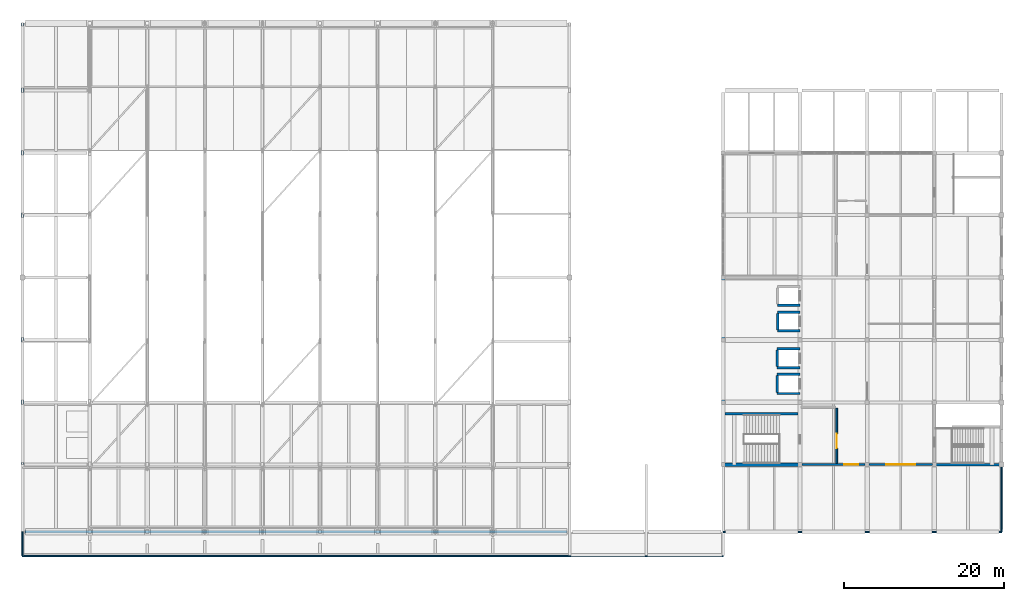
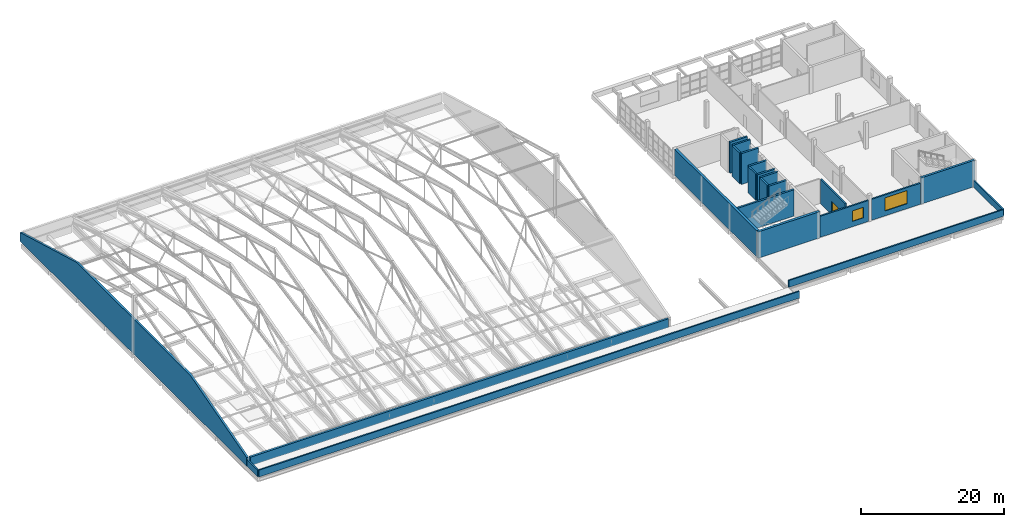
# One storey, part 49 of 53: 23 walls, 2 windows, 1 door, 3 openings.
"""IFC4 building model written with IfcOpenShell, lengths in metres."""

from ifc_helpers import new_model, si_unit, direction, frame, frame_2d, origin, place, context, subcontext, project, spatial, polyline, rectangle, outline, extrude, material, layer, layer_set, type_object, element, fill, save


model = new_model("IFC4")

# Units and contexts
model_context = context("Model", 3, precision=1e-05, world=origin(), true_north=direction((0.0, 1.0)))
body_context = subcontext(model_context, "Body", "Model", "MODEL_VIEW")
ifc_project = project(units=[si_unit("LENGTHUNIT", "METRE"), si_unit("AREAUNIT", "SQUARE_METRE"), si_unit("VOLUMEUNIT", "CUBIC_METRE"), si_unit("PLANEANGLEUNIT", "RADIAN"), si_unit("MASSUNIT", "GRAM", prefix="KILO")], contexts=[model_context])

# Site, building, storey
site_placement = place(None, origin())
site = spatial("IfcSite", under=ifc_project, at=site_placement, CompositionType="ELEMENT")
building_placement = place(site_placement, origin())
building = spatial("IfcBuilding", under=site, at=building_placement, Name="Pellamere Symphony Hall", CompositionType="ELEMENT")
storey_placement = place(building_placement, frame((0.0, 0.0, 24.0)))
storey = spatial("IfcBuildingStorey", under=building, at=storey_placement, Name="L05", CompositionType="ELEMENT", Elevation=24.0)

# Wall, opening, window
ifc_material_1 = material(Name="Insulated Zinc Rainscreen Backing Wall Assembly", Category="aluminium")
ifc_layer_1 = layer(ifc_material_1, 0.25, Name="Insulated Zinc Rainscreen Backing Wall Assembly")
ifc_layer_set_1 = layer_set([ifc_layer_1], Name="Insulated Zinc Rainscreen Backing Wall Assembly")
wall_type_1 = type_object("IfcWallType", Name="Exterior Wall EW-04 250mm", PredefinedType="SOLIDWALL", material=ifc_layer_set_1)
wall_1_placement = place(storey_placement, frame((147.85009765625, 38.39990234375, 0.0), z_axis=(0.0, 0.0, 1.0), x_axis=(1.0, 0.0, 0.0)))
wall_1 = element("IfcWall", 1, at=wall_1_placement, inside=storey, type_object=wall_type_1, Name="Exterior Wall EW-04-133 (L05)", PredefinedType="SOLIDWALL", context=body_context, shape_type="SweptSolid", body=[
    extrude(rectangle(XDim=7.89990234375, YDim=0.25, at=frame_2d((3.949951171875, 0.0))), origin(), (0.0, 0.0, 1.0), 3.60009765625),
])
opening_1_placement = place(wall_1_placement, frame((5.261962890625, 0.0, 0.89990234375)))
opening_1 = element("IfcOpeningElement", 2, at=opening_1_placement, cuts=wall_1, Name="Opening W092", PredefinedType="OPENING", context=body_context, shape_type="SweptSolid", body=[
    extrude(rectangle(XDim=1.800048828125, YDim=1.800048828125, at=frame_2d((0.89990234375, 0.89990234375))), frame((0.0, 0.135009765625, 0.0), z_axis=(0.0, -1.0, 0.0), x_axis=(1.0, 0.0, 0.0)), (0.0, 0.0, 1.0), 0.27001953125),
])
ifc_material_2 = material(Name="Thermally Broken Aluminium Triple-Glazed Acoustic Window", Category="aluminium")
window_type_1 = type_object("IfcWindowType", Name="Window WN-03 1800x1800", PartitioningType="DOUBLE_PANEL_VERTICAL", PredefinedType="WINDOW", material=ifc_material_2)
window_1_placement = place(opening_1_placement, origin())
window_1 = element("IfcWindow", 3, at=window_1_placement, inside=storey, type_object=window_type_1, Name="Exterior Window W092 (L05)", OverallHeight=1.800048828125, OverallWidth=1.800048828125, PartitioningType="SINGLE_PANEL", PredefinedType="WINDOW", context=body_context, shape_type="SweptSolid", body=[
    extrude(rectangle(XDim=1.800048828125, YDim=1.800048828125, at=frame_2d((0.89990234375, 0.89990234375))), frame((0.0, 0.030029296875, 0.0), z_axis=(0.0, -1.0, 0.0), x_axis=(1.0, 0.0, 0.0)), (0.0, 0.0, 1.0), 0.06005859375),
])
fill(opening_1, window_1)

wall_2_placement = place(storey_placement, frame((156.25, 38.39990234375, 0.0), z_axis=(0.0, 0.0, 1.0), x_axis=(1.0, 0.0, 0.0)))
wall_2 = element("IfcWall", 4, at=wall_2_placement, inside=storey, type_object=wall_type_1, Name="Exterior Wall EW-04-134 (L05)", PredefinedType="SOLIDWALL", context=body_context, shape_type="SweptSolid", body=[
    extrude(rectangle(XDim=7.89990234375, YDim=0.25, at=frame_2d((3.949951171875, 0.0))), origin(), (0.0, 0.0, 1.0), 3.60009765625),
])
opening_2_placement = place(wall_2_placement, frame((2.14990234375, 0.0, 0.85009765625)))
opening_2 = element("IfcOpeningElement", 5, at=opening_2_placement, cuts=wall_2, Name="Opening W093", PredefinedType="OPENING", context=body_context, shape_type="SweptSolid", body=[
    extrude(rectangle(XDim=3.60009765625, YDim=2.25, at=frame_2d((1.800048828125, 1.125))), frame((0.0, 0.135009765625, 0.0), z_axis=(0.0, -1.0, 0.0), x_axis=(1.0, 0.0, 0.0)), (0.0, 0.0, 1.0), 0.27001953125),
])
window_type_2 = type_object("IfcWindowType", Name="Window WN-05 3600x2250", PartitioningType="TRIPLE_PANEL_VERTICAL", PredefinedType="WINDOW", material=ifc_material_2)
window_2_placement = place(opening_2_placement, origin())
window_2 = element("IfcWindow", 6, at=window_2_placement, inside=storey, type_object=window_type_2, Name="Exterior Window W093 (L05)", OverallHeight=2.25, OverallWidth=3.60009765625, PartitioningType="SINGLE_PANEL", PredefinedType="WINDOW", context=body_context, shape_type="SweptSolid", body=[
    extrude(rectangle(XDim=3.60009765625, YDim=2.25, at=frame_2d((1.800048828125, 1.125))), frame((0.0, 0.030029296875, 0.0), z_axis=(0.0, -1.0, 0.0), x_axis=(1.0, 0.0, 0.0)), (0.0, 0.0, 1.0), 0.06005859375),
])
fill(opening_2, window_2)

# Walls
ifc_material_3 = material(Name="Precast concrete 40 MPa", Category="concrete")
ifc_layer_2 = layer(ifc_material_3, 0.219970703125, Name="Precast concrete 40 MPa")
ifc_layer_set_2 = layer_set([ifc_layer_2], Name="Precast concrete 40 MPa")
wall_type_2 = type_object("IfcWallType", Name="Exterior Wall EW-06 220mm", PredefinedType="PARAPET", material=ifc_layer_set_2)
wall_3_placement = place(storey_placement, frame((50.39990234375, 27.0, 0.0), z_axis=(0.0, 0.0, 1.0), x_axis=(1.0, 0.0, 0.0)))
element("IfcWall", 7, at=wall_3_placement, inside=storey, type_object=wall_type_2, Name="Maintenance Roof Parapet 05 (L05)", PredefinedType="PARAPET", context=body_context, shape_type="SweptSolid", body=[
    extrude(rectangle(XDim=87.60009765625, YDim=0.219970703125, at=frame_2d((43.800048828125, 0.0))), origin(), (0.0, 0.0, 1.0), 1.14990234375),
])
wall_4_placement = place(storey_placement, frame((50.39990234375, 27.0, 0.0), z_axis=(0.0, 0.0, 1.0), x_axis=(0.0, 1.0, 0.0)))
element("IfcWall", 8, at=wall_4_placement, inside=storey, type_object=wall_type_2, Name="Maintenance Roof Parapet 06 (L05)", PredefinedType="PARAPET", context=body_context, shape_type="SweptSolid", body=[
    extrude(rectangle(XDim=3.0, YDim=0.219970703125, at=frame_2d((1.5, 0.0))), origin(), (0.0, 0.0, 1.0), 1.14990234375),
])
wall_5_placement = place(storey_placement, frame((138.0, 30.0, 0.0), z_axis=(0.0, 0.0, 1.0), x_axis=(1.0, 0.0, 0.0)))
element("IfcWall", 9, at=wall_5_placement, inside=storey, type_object=wall_type_2, Name="Maintenance Roof Parapet 07 (L05)", PredefinedType="PARAPET", context=body_context, shape_type="SweptSolid", body=[
    extrude(rectangle(XDim=34.800048828125, YDim=0.219970703125, at=frame_2d((17.39990234375, 0.0))), origin(), (0.0, 0.0, 1.0), 1.14990234375),
])
wall_6_placement = place(storey_placement, frame((172.800048828125, 30.0, 0.0), z_axis=(0.0, 0.0, 1.0), x_axis=(0.0, 1.0, 0.0)))
element("IfcWall", 10, at=wall_6_placement, inside=storey, type_object=wall_type_2, Name="Maintenance Roof Parapet 08 (L05)", PredefinedType="PARAPET", context=body_context, shape_type="SweptSolid", body=[
    extrude(rectangle(XDim=8.39990234375, YDim=0.219970703125, at=frame_2d((4.199951171875, 0.0))), origin(), (0.0, 0.0, 1.0), 1.14990234375),
])

# Wall, opening, door
ifc_material_4 = material(Name="Double-Stud STC-65 Acoustic Drywall Partition", Category="gypsum")
ifc_layer_3 = layer(ifc_material_4, 0.239990234375, Name="Double-Stud STC-65 Acoustic Drywall Partition")
ifc_layer_set_3 = layer_set([ifc_layer_3], Name="Double-Stud STC-65 Acoustic Drywall Partition")
wall_type_3 = type_object("IfcWallType", Name="Interior Partition IW-01 240mm", PredefinedType="PARTITIONING", material=ifc_layer_set_3)
wall_7_placement = place(storey_placement, frame((152.199951171875, 38.56005859375, 0.0), z_axis=(0.0, 0.0, 1.0), x_axis=(0.0, 1.0, 0.0)))
wall_7 = element("IfcWall", 11, at=wall_7_placement, inside=storey, type_object=wall_type_3, Name="Interior Partition IW-01-040 (L05)", PredefinedType="PARTITIONING", context=body_context, shape_type="SweptSolid", body=[
    extrude(rectangle(XDim=6.8798828125, YDim=0.239990234375, at=frame_2d((3.43994140625, 0.0))), origin(), (0.0, 0.0, 1.0), 4.18994140625),
])
opening_3_placement = place(wall_7_placement, frame((1.89990234375, 0.0, 0.0)))
opening_3 = element("IfcOpeningElement", 12, at=opening_3_placement, cuts=wall_7, Name="Opening FD-17", PredefinedType="OPENING", context=body_context, shape_type="SweptSolid", body=[
    extrude(rectangle(XDim=1.800048828125, YDim=2.300048828125, at=frame_2d((0.89990234375, 1.14990234375))), frame((0.0, 0.1298828125, 0.0), z_axis=(0.0, -1.0, 0.0), x_axis=(1.0, 0.0, 0.0)), (0.0, 0.0, 1.0), 0.260009765625),
])
ifc_material_5 = material(Name="Fire-Rated Cross-Corridor Double Door", Category="wood")
door_type = type_object("IfcDoorType", Name="Interior Door ID-FD1 1800x2300", OperationType="NOTDEFINED", PredefinedType="DOOR", material=ifc_material_5)
door_placement = place(opening_3_placement, origin())
door = element("IfcDoor", 13, at=door_placement, inside=storey, type_object=door_type, Name="Firefighting Lobby C2 Foyer Entry Door (L05)", OperationType="DOUBLE_DOOR_SINGLE_SWING", OverallHeight=2.300048828125, OverallWidth=1.800048828125, PredefinedType="DOOR", context=body_context, shape_type="SweptSolid", body=[
    extrude(rectangle(XDim=1.800048828125, YDim=2.300048828125, at=frame_2d((0.89990234375, 1.14990234375))), frame((0.0, 0.02490234375, 0.0), z_axis=(0.0, -1.0, 0.0), x_axis=(1.0, 0.0, 0.0)), (0.0, 0.0, 1.0), 0.050048828125),
])
fill(opening_3, door)

# Walls
ifc_material_6 = material(Name="Concrete 50 MPa", Category="concrete")
ifc_layer_4 = layer(ifc_material_6, 0.39990234375, Name="Concrete 50 MPa")
ifc_layer_set_4 = layer_set([ifc_layer_4], Name="Concrete 50 MPa")
wall_type_4 = type_object("IfcWallType", Name="Structural Wall SW-02 400mm", PredefinedType="SHEAR", material=ifc_layer_set_4)
wall_8_placement = place(storey_placement, frame((137.800048828125, 38.39990234375, 0.0), z_axis=(0.0, 0.0, 1.0), x_axis=(1.0, 0.0, 0.0)))
element("IfcWall", 14, at=wall_8_placement, inside=storey, type_object=wall_type_4, Name="Core Shear Wall C2 S (L05)", PredefinedType="SHEAR", context=body_context, shape_type="SweptSolid", body=[
    extrude(rectangle(XDim=10.0, YDim=0.39990234375, at=frame_2d((5.0, 0.0))), origin(), (0.0, 0.0, 1.0), 4.5),
])
wall_9_placement = place(storey_placement, frame((138.0, 38.60009765625, 0.0), z_axis=(0.0, 0.0, 1.0), x_axis=(0.0, 1.0, 0.0)))
element("IfcWall", 15, at=wall_9_placement, inside=storey, type_object=wall_type_4, Name="Core Shear Wall C2 W (L05)", PredefinedType="SHEAR", context=body_context, shape_type="SweptSolid", body=[
    extrude(rectangle(XDim=23.0, YDim=0.39990234375, at=frame_2d((11.5, 0.0))), origin(), (0.0, 0.0, 1.0), 4.5),
])
ifc_material_7 = material(Name="Concrete 40 MPa", Category="concrete")
ifc_layer_5 = layer(ifc_material_7, 0.35009765625, Name="Concrete 40 MPa")
ifc_layer_set_5 = layer_set([ifc_layer_5], Name="Concrete 40 MPa")
wall_type_5 = type_object("IfcWallType", Name="Structural Wall SW-03 350mm", PredefinedType="SHEAR", material=ifc_layer_set_5)
wall_10_placement = place(storey_placement, frame((164.22509765625, 38.39990234375, 0.0), z_axis=(0.0, 0.0, 1.0), x_axis=(1.0, 0.0, 0.0)))
element("IfcWall", 16, at=wall_10_placement, inside=storey, type_object=wall_type_5, Name="Stair ST06 Enclosure Wall S (L05)", PredefinedType="SHEAR", context=body_context, shape_type="SweptSolid", body=[
    extrude(rectangle(XDim=8.75, YDim=0.35009765625, at=frame_2d((4.375, 0.0))), origin(), (0.0, 0.0, 1.0), 4.5),
])
ifc_layer_6 = layer(ifc_material_7, 0.300048828125, Name="Concrete 40 MPa")
ifc_layer_set_6 = layer_set([ifc_layer_6], Name="Concrete 40 MPa")
wall_type_6 = type_object("IfcWallType", Name="Structural Wall SW-04 300mm", PredefinedType="SHEAR", material=ifc_layer_set_6)
for number, where, z_axis, x_axis, name in (
    (17, (144.75, 47.300048828125, 0.0), (0.0, 0.0, 1.0), (1.0, 0.0, 0.0), "Elevator FFL1 Hoistway Wall S (L05)"),
    (18, (144.75, 49.699951171875, 0.0), (0.0, 0.0, 1.0), (1.0, 0.0, 0.0), "Elevator FFL1 Hoistway Wall N (L05)"),
):
    element("IfcWall", number, at=place(storey_placement, frame(where, z_axis=z_axis, x_axis=x_axis)), inside=storey, type_object=wall_type_6, Name=name, PredefinedType="SHEAR", context=body_context, shape_type="SweptSolid", body=[
        extrude(rectangle(XDim=2.85009765625, YDim=0.300048828125, at=frame_2d((1.425048828125, 0.0))), origin(), (0.0, 0.0, 1.0), 4.5),
    ])
wall_11_placement = place(storey_placement, frame((144.75, 47.449951171875, 0.0), z_axis=(0.0, 0.0, 1.0), x_axis=(0.0, 1.0, 0.0)))
element("IfcWall", 19, at=wall_11_placement, inside=storey, type_object=wall_type_6, Name="Elevator FFL1 Hoistway Wall W (L05)", PredefinedType="SHEAR", context=body_context, shape_type="SweptSolid", body=[
    extrude(rectangle(XDim=2.10009765625, YDim=0.300048828125, at=frame_2d((1.050048828125, 0.0))), origin(), (0.0, 0.0, 1.0), 4.5),
])
for number, where, z_axis, x_axis, name in (
    (20, (144.75, 50.5, 0.0), (0.0, 0.0, 1.0), (1.0, 0.0, 0.0), "Elevator FFL2 Hoistway Wall S (L05)"),
    (21, (144.75, 52.89990234375, 0.0), (0.0, 0.0, 1.0), (1.0, 0.0, 0.0), "Elevator FFL2 Hoistway Wall N (L05)"),
):
    element("IfcWall", number, at=place(storey_placement, frame(where, z_axis=z_axis, x_axis=x_axis)), inside=storey, type_object=wall_type_6, Name=name, PredefinedType="SHEAR", context=body_context, shape_type="SweptSolid", body=[
        extrude(rectangle(XDim=2.85009765625, YDim=0.300048828125, at=frame_2d((1.425048828125, 0.0))), origin(), (0.0, 0.0, 1.0), 4.5),
    ])
wall_12_placement = place(storey_placement, frame((144.75, 50.64990234375, 0.0), z_axis=(0.0, 0.0, 1.0), x_axis=(0.0, 1.0, 0.0)))
element("IfcWall", 22, at=wall_12_placement, inside=storey, type_object=wall_type_6, Name="Elevator FFL2 Hoistway Wall W (L05)", PredefinedType="SHEAR", context=body_context, shape_type="SweptSolid", body=[
    extrude(rectangle(XDim=2.10009765625, YDim=0.300048828125, at=frame_2d((1.050048828125, 0.0))), origin(), (0.0, 0.0, 1.0), 4.5),
])
for number, where, z_axis, x_axis, name in (
    (23, (144.800048828125, 55.125, 0.0), (0.0, 0.0, 1.0), (1.0, 0.0, 0.0), "Elevator PL3 Hoistway Wall S (L05)"),
    (24, (144.800048828125, 57.47509765625, 0.0), (0.0, 0.0, 1.0), (1.0, 0.0, 0.0), "Elevator PL3 Hoistway Wall N (L05)"),
):
    element("IfcWall", number, at=place(storey_placement, frame(where, z_axis=z_axis, x_axis=x_axis)), inside=storey, type_object=wall_type_6, Name=name, PredefinedType="SHEAR", context=body_context, shape_type="SweptSolid", body=[
        extrude(rectangle(XDim=2.800048828125, YDim=0.300048828125, at=frame_2d((1.39990234375, 0.0))), origin(), (0.0, 0.0, 1.0), 5.300048828125),
    ])
wall_13_placement = place(storey_placement, frame((144.800048828125, 55.27490234375, 0.0), z_axis=(0.0, 0.0, 1.0), x_axis=(0.0, 1.0, 0.0)))
element("IfcWall", 25, at=wall_13_placement, inside=storey, type_object=wall_type_6, Name="Elevator PL3 Hoistway Wall W (L05)", PredefinedType="SHEAR", context=body_context, shape_type="SweptSolid", body=[
    extrude(rectangle(XDim=2.050048828125, YDim=0.300048828125, at=frame_2d((1.02490234375, 0.0))), origin(), (0.0, 0.0, 1.0), 5.300048828125),
])
wall_14_placement = place(storey_placement, frame((144.800048828125, 58.324951171875, 0.0), z_axis=(0.0, 0.0, 1.0), x_axis=(1.0, 0.0, 0.0)))
element("IfcWall", 26, at=wall_14_placement, inside=storey, type_object=wall_type_6, Name="Elevator PL4 Hoistway Wall S (L05)", PredefinedType="SHEAR", context=body_context, shape_type="SweptSolid", body=[
    extrude(rectangle(XDim=2.800048828125, YDim=0.300048828125, at=frame_2d((1.39990234375, 0.0))), origin(), (0.0, 0.0, 1.0), 5.300048828125),
])
ifc_layer_7 = layer(ifc_material_7, 0.31005859375, Name="Concrete 40 MPa")
ifc_layer_set_7 = layer_set([ifc_layer_7], Name="Concrete 40 MPa")
wall_type_7 = type_object("IfcWallType", Name="Structural Wall SW-08 310mm", PredefinedType="SHEAR", material=ifc_layer_set_7)
wall_15_placement = place(storey_placement, frame((138.219970703125, 44.800048828125, 0.0), z_axis=(0.0, 0.0, 1.0), x_axis=(1.0, 0.0, 0.0)))
element("IfcWall", 27, at=wall_15_placement, inside=storey, type_object=wall_type_7, Name="Core Stair Divider Wall C2 (L05)", PredefinedType="SHEAR", context=body_context, shape_type="SweptSolid", body=[
    extrude(rectangle(XDim=9.159912109375, YDim=0.31005859375, at=frame_2d((4.580078125, 0.0))), origin(), (0.0, 0.0, 1.0), 4.5),
])
ifc_layer_8 = layer(ifc_material_3, 0.330078125, Name="Precast concrete 40 MPa")
ifc_layer_set_8 = layer_set([ifc_layer_8], Name="Precast concrete 40 MPa")
wall_type_8 = type_object("IfcWallType", Name="Structural Wall SW-09 330mm", PredefinedType="SOLIDWALL", material=ifc_layer_set_8)
wall_16_placement = place(storey_placement, frame((50.39990234375, 30.0, 0.0), z_axis=(0.0, 0.0, 1.0), x_axis=(0.0, 1.0, 0.0)))
element("IfcWall", 28, at=wall_16_placement, inside=storey, type_object=wall_type_8, Name="Main Hall Crystal Lower Gable Wall W", PredefinedType="SOLIDWALL", context=body_context, shape_type="SweptSolid", body=[
    extrude(outline(polyline([(0.0, 0.0), (63.60009765625, 0.0), (63.60009765625, 1.5), (47.699951171875, 6.0), (15.89990234375, 6.0), (0.0, 1.5), (0.0, 0.0)])), frame((0.0, 0.1650390625, 0.0), z_axis=(0.0, -1.0, 0.0), x_axis=(1.0, 0.0, 0.0)), (0.0, 0.0, 1.0), 0.330078125),
])
wall_17_placement = place(storey_placement, frame((50.72998046875, 30.0, 0.0), z_axis=(0.0, 0.0, 1.0), x_axis=(1.0, 0.0, 0.0)))
element("IfcWall", 29, at=wall_17_placement, inside=storey, type_object=wall_type_8, Name="Main Hall Roof Eave Acoustic Fascia Wall S", PredefinedType="SOLIDWALL", context=body_context, shape_type="SweptSolid", body=[
    extrude(rectangle(XDim=67.739990234375, YDim=0.330078125, at=frame_2d((33.8701171875, 0.0))), origin(), (0.0, 0.0, 1.0), 1.5),
])

save(model, "model.ifc")
